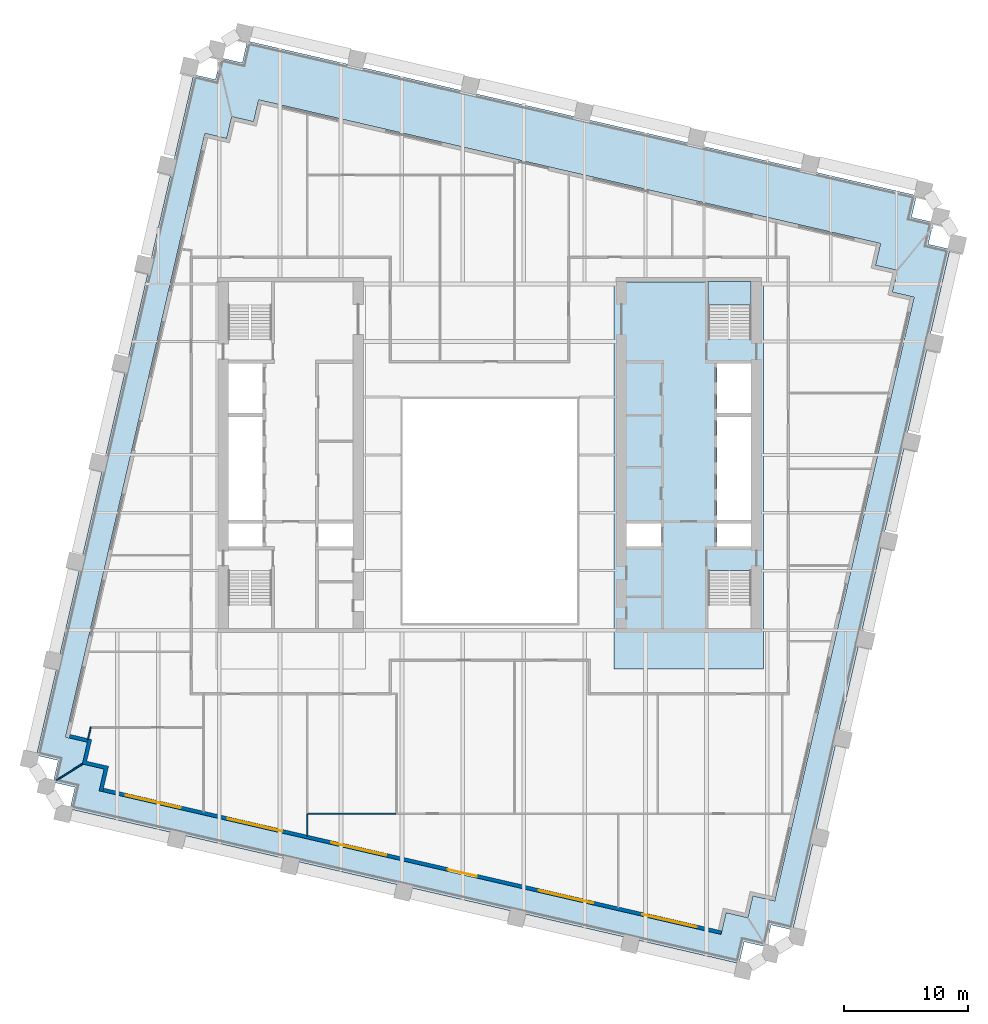
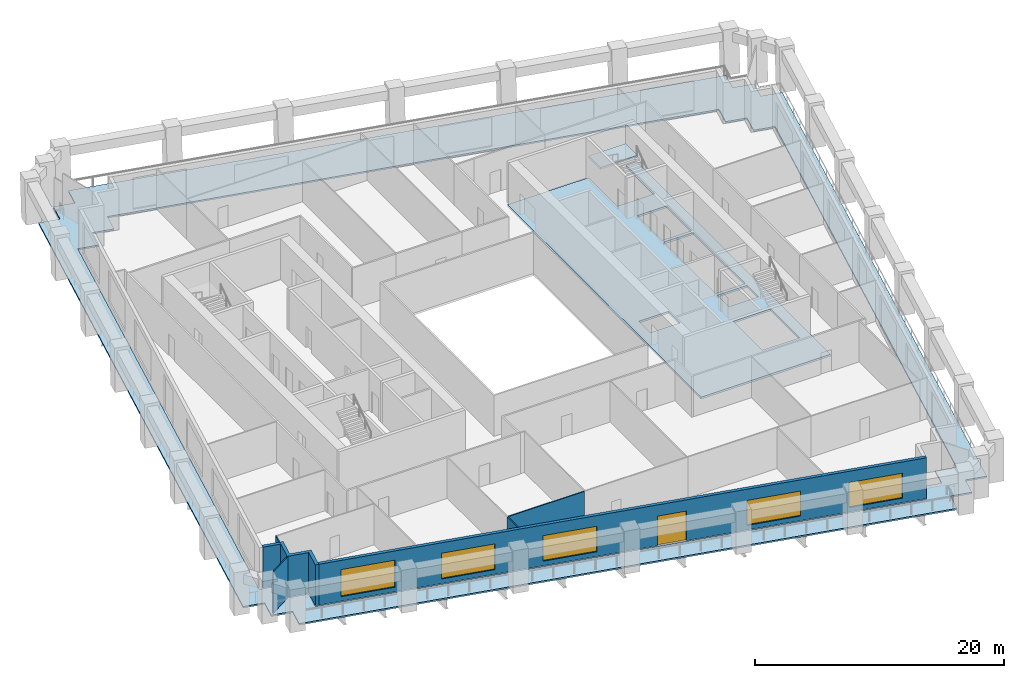
# One storey, part 3 of 9: 6 walls, 5 windows, 3 slabs, 1 door, 6 openings, 1 element without a shape of its own.
"""IFC4 building model written with IfcOpenShell, lengths in metres."""

import ifcopenshell
import ifcopenshell.guid

model = None  # the IFC model being written
_history = None  # IfcOwnerHistory: only IFC2X3 demands one
_inside = {}  # id of a spatial element -> (the spatial element, [elements in it])
_under = {}  # id of a project, library or spatial element -> (it, [spatial elements below it])
_declared = {}  # id of a project -> (the project, [libraries it declares])
_typed = {}  # id of a type object -> (the type object, [elements of that type])
_made_of = {}  # id of a material, layer set ... -> (it, [elements and type objects made of it])


def new_model(schema):
    """Start an empty IFC model of exactly this schema.

    Asked for "IFC4X3", IfcOpenShell would pick the latest addendum, in which some entities
    have other attributes; the version numbers below select the first issue.
    IFC2X3 requires an IfcOwnerHistory on every rooted entity: one is made here for all.
    """
    global model, _history
    if schema == "IFC4X3":
        model = ifcopenshell.file(schema_version=(4, 3, 0, 0))
    else:
        model = ifcopenshell.file(schema=schema)
    _inside.clear()
    _under.clear()
    _declared.clear()
    _typed.clear()
    _made_of.clear()
    _history = None
    if model.schema == "IFC2X3":
        org = make("IfcOrganization", Name="unknown")
        user = make(
            "IfcPersonAndOrganization",
            ThePerson=make("IfcPerson", FamilyName="unknown"),
            TheOrganization=org,
        )
        app = make(
            "IfcApplication",
            ApplicationDeveloper=org,
            Version="unknown",
            ApplicationFullName="unknown",
            ApplicationIdentifier="unknown",
        )
        _history = make(
            "IfcOwnerHistory",
            OwningUser=user,
            OwningApplication=app,
            ChangeAction="ADDED",
            CreationDate=0,
        )
    return model


def make(cls, **values):
    """One entity of the class cls with the attributes given. An attribute that is None is left unset."""
    return model.create_entity(
        cls, **{name: value for name, value in values.items() if value is not None}
    )


def rooted(cls, **values):
    """An entity with a GlobalId (a new one), such as an element, a storey or a relation."""
    return make(cls, GlobalId=ifcopenshell.guid.new(), OwnerHistory=_history, **values)


def si_unit(unit_type, name, prefix=None):
    """IfcSIUnit, for example si_unit("LENGTHUNIT", "METRE", prefix="MILLI")."""
    return make("IfcSIUnit", UnitType=unit_type, Prefix=prefix, Name=name)


def assignment(units):
    """IfcUnitAssignment: the units of a project."""
    return None if units is None else make("IfcUnitAssignment", Units=units)


def point(xyz):
    """IfcCartesianPoint."""
    return None if xyz is None else make("IfcCartesianPoint", Coordinates=xyz)


def direction(xyz):
    """IfcDirection."""
    return None if xyz is None else make("IfcDirection", DirectionRatios=xyz)


def frame(location, z_axis=None, x_axis=None):
    """IfcAxis2Placement3D, a coordinate frame: its origin and axes. An axis left out is left unset."""
    return make(
        "IfcAxis2Placement3D",
        Location=point(location),
        Axis=direction(z_axis),
        RefDirection=direction(x_axis),
    )


def frame_2d(location, x_axis=None):
    """IfcAxis2Placement2D, a coordinate frame in the plane: its origin and x axis."""
    return make(
        "IfcAxis2Placement2D", Location=point(location), RefDirection=direction(x_axis)
    )


def origin():
    """The frame at (0, 0, 0) with its axes left unset."""
    return frame((0.0, 0.0, 0.0))


def place(relative_to, where):
    """IfcLocalPlacement: puts the frame where relative to a parent placement (None: the world)."""
    return make(
        "IfcLocalPlacement", PlacementRelTo=relative_to, RelativePlacement=where
    )


def context(
    kind, dimensions, precision=None, world=None, true_north=None, identifier=None
):
    """IfcGeometricRepresentationContext, for example the 3D "Model" context."""
    return make(
        "IfcGeometricRepresentationContext",
        ContextIdentifier=identifier,
        ContextType=kind,
        CoordinateSpaceDimension=dimensions,
        Precision=precision,
        WorldCoordinateSystem=world,
        TrueNorth=true_north,
    )


def subcontext(parent, identifier, kind, view, scale=None):
    """IfcGeometricRepresentationSubContext, for example "Body" below "Model"."""
    return make(
        "IfcGeometricRepresentationSubContext",
        ContextIdentifier=identifier,
        ContextType=kind,
        ParentContext=parent,
        TargetScale=scale,
        TargetView=view,
    )


def project(units=None, contexts=None):
    """IfcProject with its units and contexts."""
    return rooted(
        "IfcProject",
        Name="project",
        RepresentationContexts=contexts,
        UnitsInContext=assignment(units),
    )


def spatial(cls, under=None, at=None, **own):
    """A site, building, storey or space (cls), placed at a placement, below another one or the project."""
    s = rooted(cls, ObjectPlacement=at, **own)
    if under is not None:
        _under.setdefault(under.id(), (under, []))[1].append(s)
    return s


def polyline(points):
    """IfcPolyline through the points."""
    return make("IfcPolyline", Points=[point(p) for p in points])


def profile(cls, at=None, kind="AREA", **sizes):
    """A parametric profile (cls). Its sizes go by their IFC names, for example OverallWidth=200.0."""
    return make(cls, ProfileType=kind, Position=at, **sizes)


def rectangle(**sizes):
    """IfcRectangleProfileDef."""
    return profile("IfcRectangleProfileDef", **sizes)


def outline(outer, holes=None, kind="AREA"):
    """IfcArbitraryClosedProfileDef: a profile drawn as a closed curve; with holes, ...WithVoids."""
    if holes is None:
        return make("IfcArbitraryClosedProfileDef", ProfileType=kind, OuterCurve=outer)
    return make(
        "IfcArbitraryProfileDefWithVoids",
        ProfileType=kind,
        OuterCurve=outer,
        InnerCurves=holes,
    )


def extrude(swept, where, along, depth):
    """IfcExtrudedAreaSolid: the profile swept, set in the frame where, extruded along a direction by depth."""
    return make(
        "IfcExtrudedAreaSolid",
        SweptArea=swept,
        Position=where,
        ExtrudedDirection=direction(along),
        Depth=depth,
    )


def shape(context_of_items, identifier, shape_type, items):
    """IfcShapeRepresentation: the items that make up one representation, for example the "Body"."""
    return make(
        "IfcShapeRepresentation",
        ContextOfItems=context_of_items,
        RepresentationIdentifier=identifier,
        RepresentationType=shape_type,
        Items=items,
    )


def material(Name=None, Category=None):
    """IfcMaterial."""
    return make("IfcMaterial", Name=Name, Category=Category)


def layer(
    of_material, thickness, ventilated=None, Name=None, Category=None, Priority=None
):
    """IfcMaterialLayer: one layer of a wall or slab, of a material (None: an air gap)."""
    return make(
        "IfcMaterialLayer",
        Material=of_material,
        LayerThickness=thickness,
        IsVentilated=ventilated,
        Name=Name,
        Category=Category,
        Priority=Priority,
    )


def layer_set(layers, Name=None):
    """IfcMaterialLayerSet."""
    return make("IfcMaterialLayerSet", MaterialLayers=layers, LayerSetName=Name)


def made_of(thing, what):
    """Note that an element or type object is made of a material, layer set ...; save() writes the relation."""
    if what is not None:
        _made_of.setdefault(what.id(), (what, []))[1].append(thing)
    return thing


def type_object(cls, material=None, **own):
    """A type object (cls), such as IfcWallType, which elements share."""
    return made_of(rooted(cls, **own), material)


def element(
    cls,
    number,
    at=None,
    inside=None,
    cuts=None,
    type_object=None,
    material=None,
    context=None,
    identifier="Body",
    shape_type=None,
    held_by="IfcProductDefinitionShape",
    body=None,
    shapes=None,
    **own,
):
    """One element of the class cls, such as IfcWall. Its Tag is "e" and its number.

    at: its placement. inside: the storey or other place that contains it. cuts: it is an
    opening in that element (IfcRelVoidsElement). A single representation is given by context,
    identifier, shape_type and body (its items); several are given by shapes. held_by: the class
    of the entity that holds the representations. save() writes the other relations.
    """
    e = rooted(cls, Tag="e%d" % number, ObjectPlacement=at, **own)
    if body is not None:
        shapes = [shape(context, identifier, shape_type, body)]
    if shapes is not None:
        e.Representation = make(held_by, Representations=shapes)
    if inside is not None:
        _inside.setdefault(inside.id(), (inside, []))[1].append(e)
    if cuts is not None:
        rooted(
            "IfcRelVoidsElement", RelatingBuildingElement=cuts, RelatedOpeningElement=e
        )
    if type_object is not None:
        _typed.setdefault(type_object.id(), (type_object, []))[1].append(e)
    return made_of(e, material)


def fill(opening, filler):
    """IfcRelFillsElement: the door or window that sits in an opening."""
    return rooted(
        "IfcRelFillsElement",
        RelatingOpeningElement=opening,
        RelatedBuildingElement=filler,
    )


def aggregate(whole, parts):
    """IfcRelAggregates: a whole, such as a stair, and the parts it consists of."""
    return rooted("IfcRelAggregates", RelatingObject=whole, RelatedObjects=parts)


def save(model, path):
    """Write the relations noted so far, then the file.

    IfcRelAggregates (storeys below a building ...), IfcRelContainedInSpatialStructure (elements
    in a storey), IfcRelDefinesByType, IfcRelAssociatesMaterial and IfcRelDeclares: one each for
    every whole, place, type object, material and project.
    """
    for whole, parts in _under.values():
        aggregate(whole, parts)
    for where, things in _inside.values():
        rooted(
            "IfcRelContainedInSpatialStructure",
            RelatedElements=things,
            RelatingStructure=where,
        )
    for kind, things in _typed.values():
        rooted("IfcRelDefinesByType", RelatedObjects=things, RelatingType=kind)
    for what, things in _made_of.values():
        rooted("IfcRelAssociatesMaterial", RelatedObjects=things, RelatingMaterial=what)
    for by, libraries in _declared.values():
        rooted("IfcRelDeclares", RelatingContext=by, RelatedDefinitions=libraries)
    model.write(path)


model = new_model("IFC4")

# Units and contexts
model_context = context("Model", 3, precision=1e-05, world=origin(), true_north=direction((0.0, 1.0)))
body_context = subcontext(model_context, "Body", "Model", "MODEL_VIEW")
ifc_project = project(units=[si_unit("LENGTHUNIT", "METRE"), si_unit("AREAUNIT", "SQUARE_METRE"), si_unit("VOLUMEUNIT", "CUBIC_METRE"), si_unit("PLANEANGLEUNIT", "RADIAN"), si_unit("MASSUNIT", "GRAM", prefix="KILO")], contexts=[model_context])

# Site, building, storey
site_placement = place(None, origin())
site = spatial("IfcSite", under=ifc_project, at=site_placement, CompositionType="ELEMENT")
building_placement = place(site_placement, origin())
building = spatial("IfcBuilding", under=site, at=building_placement, Name="Ogive Exchange Tower", CompositionType="ELEMENT")
storey_placement = place(building_placement, frame((0.0, 0.0, 126.60009765625)))
storey = spatial("IfcBuildingStorey", under=building, at=storey_placement, Name="L27", CompositionType="ELEMENT", Elevation=126.60009765625)

# Slabs
ifc_material_1 = material(Name="Concrete C70/85", Category="concrete")
ifc_layer_1 = layer(ifc_material_1, 0.199951171875)
ifc_layer_set_1 = layer_set([ifc_layer_1], Name="Core floor slab 200")
slab_type_1 = type_object("IfcSlabType", Name="Core floor slab 200", PredefinedType="FLOOR", material=ifc_layer_set_1)
slab_1_placement = place(storey_placement, frame((0.0, 0.0, -0.2001953125)))
element("IfcSlab", 1, at=slab_1_placement, inside=storey, type_object=slab_type_1, Name="Core floor slab", PredefinedType="FLOOR", context=body_context, shape_type="SweptSolid", body=[
    extrude(outline(polyline([(22.0, 25.39990234375), (22.0, -5.699951171875), (10.0, -5.699951171875), (10.0, 25.39990234375), (17.550048828125, 25.39990234375), (17.550048828125, 20.803955078125), (21.0, 20.803955078125), (21.0, 25.39990234375), (22.0, 25.39990234375)]), holes=[polyline([(21.0, 2.196044921875), (17.550048828125, 2.196044921875), (17.550048828125, -2.449951171875), (21.0, -2.449951171875), (21.0, 2.196044921875)]), polyline([(13.75, 5.992919921875), (11.0, 5.992919921875), (11.0, 4.14990234375), (13.75, 4.14990234375), (13.75, 5.992919921875)]), polyline([(21.0, 5.992919921875), (18.25, 5.992919921875), (18.25, 4.14990234375), (21.0, 4.14990234375), (21.0, 5.992919921875)]), polyline([(18.25, 14.564208984375), (18.25, 6.29296875), (21.0, 6.29296875), (21.0, 14.564208984375), (18.25, 14.564208984375)]), polyline([(21.0, 18.85009765625), (18.25, 18.85009765625), (18.25, 14.8642578125), (21.0, 14.8642578125), (21.0, 18.85009765625)])]), origin(), (0.0, 0.0, 1.0), 0.2001953125),
])
ifc_material_2 = material(Name="Concrete C50/60", Category="concrete")
ifc_layer_2 = layer(ifc_material_2, 0.14990234375)
ifc_layer_set_2 = layer_set([ifc_layer_2], Name="Loggia deck 150")
slab_type_2 = type_object("IfcSlabType", Name="Loggia deck 150", PredefinedType="FLOOR", material=ifc_layer_set_2)
slab_2_placement = place(storey_placement, frame((0.0, 0.0, -0.2001953125)))
element("IfcSlab", 2, at=slab_2_placement, inside=storey, type_object=slab_type_2, Name="Loggia deck", PredefinedType="FLOOR", context=body_context, shape_type="SweptSolid", body=[
    extrude(outline(polyline([(-33.33740234375, -15.20703125), (-35.09130859375, -14.802001953125), (-34.686279296875, -13.04833984375), (-36.440185546875, -12.643310546875), (-23.808349609375, 42.072021484375), (-22.054443359375, 41.6669921875), (-21.6494140625, 43.4208984375), (-19.8955078125, 43.01611328125), (-19.49072265625, 44.77001953125), (34.29443359375, 32.3525390625), (33.8896484375, 30.5986328125), (35.6435546875, 30.19384765625), (35.238525390625, 28.43994140625), (36.992431640625, 28.034912109375), (24.3603515625, -26.680419921875), (22.6064453125, -26.275390625), (22.20166015625, -28.029296875), (20.44775390625, -27.62451171875), (20.04296875, -29.378173828125), (-33.742431640625, -16.9609375), (-33.33740234375, -15.20703125)]), holes=[polyline([(18.986328125, -25.28564453125), (20.740234375, -25.690673828125), (21.145263671875, -23.936767578125), (22.89892578125, -24.341552734375), (34.1015625, 24.181884765625), (32.34765625, 24.5869140625), (32.752685546875, 26.3408203125), (30.998779296875, 26.74560546875), (31.40380859375, 28.49951171875), (-18.58154296875, 40.03955078125), (-18.986328125, 38.28564453125), (-20.740234375, 38.690673828125), (-21.145263671875, 36.936767578125), (-22.89892578125, 37.341552734375), (-34.1015625, -11.181884765625), (-32.34765625, -11.5869140625), (-32.752685546875, -13.3408203125), (-30.998779296875, -13.74560546875), (-31.40380859375, -15.49951171875), (18.58154296875, -27.03955078125), (18.986328125, -25.28564453125)])]), origin(), (0.0, 0.0, 1.0), 0.150146484375),
])

# Stair, slab
ifc_material_3 = material(Name="Concrete C40/50", Category="concrete")
stair_type = type_object("IfcStairType", Name="Exit stair 1650 wide", PredefinedType="HALF_TURN_STAIR", material=ifc_material_3)
stair_placement = place(storey_placement, origin())
stair = element("IfcStair", 3, at=stair_placement, inside=storey, type_object=stair_type, Name="L27 exit stair ST4", PredefinedType="HALF_TURN_STAIR")
ifc_layer_3 = layer(ifc_material_3, 0.199951171875)
ifc_layer_set_3 = layer_set([ifc_layer_3], Name="Stair landing 200 slab")
slab_type_3 = type_object("IfcSlabType", Name="Stair landing 200 slab", PredefinedType="LANDING", material=ifc_layer_set_3)
slab_3_placement = place(storey_placement, frame((0.0, 0.0, 1.89990234375)))
slab_3 = element("IfcSlab", 4, at=slab_3_placement, type_object=slab_type_3, Name="ST4 landing 1", PredefinedType="LANDING", context=body_context, shape_type="SweptSolid", body=[
    extrude(outline(polyline([(21.0, 23.550048828125), (21.0, 25.449951171875), (17.550048828125, 25.449951171875), (17.550048828125, 23.550048828125), (21.0, 23.550048828125)])), origin(), (0.0, 0.0, 1.0), 0.199951171875),
])
aggregate(stair, [slab_3])

# Wall, openings, door, windows
ifc_material_4 = material(Name="Precast concrete C40/50", Category="concrete")
ifc_layer_4 = layer(ifc_material_4, 0.300048828125)
ifc_layer_set_4 = layer_set([ifc_layer_4], Name="Limestone-faced wall 300")
wall_type_1 = type_object("IfcWallType", Name="Limestone-faced wall 300", PredefinedType="STANDARD", material=ifc_layer_set_4)
wall_1_placement = place(storey_placement, frame((-31.07763671875, -15.4208984375, 0.0), z_axis=(0.0, 0.0, 1.0), x_axis=(0.974370456532, -0.224949357493, 0.0)))
wall_1 = element("IfcWall", 5, at=wall_1_placement, inside=storey, type_object=wall_type_1, Name="External wall S1", PredefinedType="STANDARD", context=body_context, shape_type="SweptSolid", body=[
    extrude(rectangle(XDim=51.0, YDim=0.300048828125, at=frame_2d((25.5, 0.0))), origin(), (0.0, 0.0, 1.0), 4.0),
])
opening_1_placement = place(wall_1_placement, frame((1.875, 0.0, 0.449951171875)))
opening_1 = element("IfcOpeningElement", 6, at=opening_1_placement, cuts=wall_1, Name="Opening W1K", PredefinedType="OPENING", context=body_context, shape_type="SweptSolid", body=[
    extrude(rectangle(XDim=4.5, YDim=2.64990234375, at=frame_2d((2.25, 1.324951171875))), frame((0.0, 0.159912109375, 0.0), z_axis=(0.0, -1.0, 0.0), x_axis=(1.0, 0.0, 0.0)), (0.0, 0.0, 1.0), 0.320068359375),
])
opening_2_placement = place(wall_1_placement, frame((10.27490234375, 0.0, 0.449951171875)))
opening_2 = element("IfcOpeningElement", 7, at=opening_2_placement, cuts=wall_1, Name="Opening W1N", PredefinedType="OPENING", context=body_context, shape_type="SweptSolid", body=[
    extrude(rectangle(XDim=4.5, YDim=2.52490234375, at=frame_2d((2.25, 1.262451171875))), frame((0.0, 0.159912109375, 0.0), z_axis=(0.0, -1.0, 0.0), x_axis=(1.0, 0.0, 0.0)), (0.0, 0.0, 1.0), 0.320068359375),
])
opening_3_placement = place(wall_1_placement, frame((18.824951171875, 0.0, 0.449951171875)))
opening_3 = element("IfcOpeningElement", 8, at=opening_3_placement, cuts=wall_1, Name="Opening W1O", PredefinedType="OPENING", context=body_context, shape_type="SweptSolid", body=[
    extrude(rectangle(XDim=4.5, YDim=2.5, at=frame_2d((2.25, 1.25))), frame((0.0, 0.159912109375, 0.0), z_axis=(0.0, -1.0, 0.0), x_axis=(1.0, 0.0, 0.0)), (0.0, 0.0, 1.0), 0.320068359375),
])
opening_4_placement = place(wall_1_placement, frame((28.425048828125, 0.0, 0.0)))
opening_4 = element("IfcOpeningElement", 9, at=opening_4_placement, cuts=wall_1, Name="Opening D1P", PredefinedType="OPENING", context=body_context, shape_type="SweptSolid", body=[
    extrude(rectangle(XDim=2.39990234375, YDim=2.89990234375, at=frame_2d((1.199951171875, 1.449951171875))), frame((0.0, 0.159912109375, 0.0), z_axis=(0.0, -1.0, 0.0), x_axis=(1.0, 0.0, 0.0)), (0.0, 0.0, 1.0), 0.320068359375),
])
opening_5_placement = place(wall_1_placement, frame((35.925048828125, 0.0, 0.449951171875)))
opening_5 = element("IfcOpeningElement", 10, at=opening_5_placement, cuts=wall_1, Name="Opening W1Q", PredefinedType="OPENING", context=body_context, shape_type="SweptSolid", body=[
    extrude(rectangle(XDim=4.5, YDim=2.449951171875, at=frame_2d((2.25, 1.22509765625))), frame((0.0, 0.159912109375, 0.0), z_axis=(0.0, -1.0, 0.0), x_axis=(1.0, 0.0, 0.0)), (0.0, 0.0, 1.0), 0.320068359375),
])
opening_6_placement = place(wall_1_placement, frame((44.47509765625, 0.0, 0.449951171875)))
opening_6 = element("IfcOpeningElement", 11, at=opening_6_placement, cuts=wall_1, Name="Opening W1Q", PredefinedType="OPENING", context=body_context, shape_type="SweptSolid", body=[
    extrude(rectangle(XDim=4.5, YDim=2.449951171875, at=frame_2d((2.25, 1.22509765625))), frame((0.0, 0.159912109375, 0.0), z_axis=(0.0, -1.0, 0.0), x_axis=(1.0, 0.0, 0.0)), (0.0, 0.0, 1.0), 0.320068359375),
])
ifc_material_5 = material(Name="Clear glass in bronze frame", Category="glass")
door_type = type_object("IfcDoorType", Name="Sliding loggia door 2400 x 2900", OperationType="DOUBLE_DOOR_SLIDING", PredefinedType="DOOR", material=ifc_material_5)
door_placement = place(opening_4_placement, origin())
door = element("IfcDoor", 12, at=door_placement, inside=storey, type_object=door_type, Name="Loggia door S03", OperationType="DOUBLE_DOOR_SLIDING", OverallHeight=2.89990234375, OverallWidth=2.39990234375, PredefinedType="DOOR", context=body_context, shape_type="SweptSolid", body=[
    extrude(rectangle(XDim=2.39990234375, YDim=2.89990234375, at=frame_2d((1.199951171875, 1.449951171875))), frame((0.0, 0.02490234375, 0.0), z_axis=(0.0, -1.0, 0.0), x_axis=(1.0, 0.0, 0.0)), (0.0, 0.0, 1.0), 0.050048828125),
])
fill(opening_4, door)
window_type_1 = type_object("IfcWindowType", Name="Twin lancet window 4500 x 2450", PartitioningType="DOUBLE_PANEL_VERTICAL", PredefinedType="WINDOW", material=ifc_material_5)
window_1_placement = place(opening_5_placement, origin())
window_1 = element("IfcWindow", 13, at=window_1_placement, inside=storey, type_object=window_type_1, Name="Window S04", OverallHeight=2.449951171875, OverallWidth=4.5, PartitioningType="DOUBLE_PANEL_VERTICAL", PredefinedType="WINDOW", context=body_context, shape_type="SweptSolid", body=[
    extrude(rectangle(XDim=4.5, YDim=2.449951171875, at=frame_2d((2.25, 1.22509765625))), frame((0.0, 0.030029296875, 0.0), z_axis=(0.0, -1.0, 0.0), x_axis=(1.0, 0.0, 0.0)), (0.0, 0.0, 1.0), 0.06005859375),
])
fill(opening_5, window_1)
window_2_placement = place(opening_6_placement, origin())
window_2 = element("IfcWindow", 14, at=window_2_placement, inside=storey, type_object=window_type_1, Name="Window S05", OverallHeight=2.449951171875, OverallWidth=4.5, PartitioningType="DOUBLE_PANEL_VERTICAL", PredefinedType="WINDOW", context=body_context, shape_type="SweptSolid", body=[
    extrude(rectangle(XDim=4.5, YDim=2.449951171875, at=frame_2d((2.25, 1.22509765625))), frame((0.0, 0.030029296875, 0.0), z_axis=(0.0, -1.0, 0.0), x_axis=(1.0, 0.0, 0.0)), (0.0, 0.0, 1.0), 0.06005859375),
])
fill(opening_6, window_2)
window_type_2 = type_object("IfcWindowType", Name="Twin lancet window 4500 x 2500", PartitioningType="DOUBLE_PANEL_VERTICAL", PredefinedType="WINDOW", material=ifc_material_5)
window_3_placement = place(opening_3_placement, origin())
window_3 = element("IfcWindow", 15, at=window_3_placement, inside=storey, type_object=window_type_2, Name="Window S02", OverallHeight=2.5, OverallWidth=4.5, PartitioningType="DOUBLE_PANEL_VERTICAL", PredefinedType="WINDOW", context=body_context, shape_type="SweptSolid", body=[
    extrude(rectangle(XDim=4.5, YDim=2.5, at=frame_2d((2.25, 1.25))), frame((0.0, 0.030029296875, 0.0), z_axis=(0.0, -1.0, 0.0), x_axis=(1.0, 0.0, 0.0)), (0.0, 0.0, 1.0), 0.06005859375),
])
fill(opening_3, window_3)
window_type_3 = type_object("IfcWindowType", Name="Twin lancet window 4500 x 2525", PartitioningType="DOUBLE_PANEL_VERTICAL", PredefinedType="WINDOW", material=ifc_material_5)
window_4_placement = place(opening_2_placement, origin())
window_4 = element("IfcWindow", 16, at=window_4_placement, inside=storey, type_object=window_type_3, Name="Window S01", OverallHeight=2.52490234375, OverallWidth=4.5, PartitioningType="DOUBLE_PANEL_VERTICAL", PredefinedType="WINDOW", context=body_context, shape_type="SweptSolid", body=[
    extrude(rectangle(XDim=4.5, YDim=2.52490234375, at=frame_2d((2.25, 1.262451171875))), frame((0.0, 0.030029296875, 0.0), z_axis=(0.0, -1.0, 0.0), x_axis=(1.0, 0.0, 0.0)), (0.0, 0.0, 1.0), 0.06005859375),
])
fill(opening_2, window_4)
window_type_4 = type_object("IfcWindowType", Name="Twin lancet window 4500 x 2650", PartitioningType="DOUBLE_PANEL_VERTICAL", PredefinedType="WINDOW", material=ifc_material_5)
window_5_placement = place(opening_1_placement, origin())
window_5 = element("IfcWindow", 17, at=window_5_placement, inside=storey, type_object=window_type_4, Name="Window S00", OverallHeight=2.64990234375, OverallWidth=4.5, PartitioningType="DOUBLE_PANEL_VERTICAL", PredefinedType="WINDOW", context=body_context, shape_type="SweptSolid", body=[
    extrude(rectangle(XDim=4.5, YDim=2.64990234375, at=frame_2d((2.25, 1.324951171875))), frame((0.0, 0.030029296875, 0.0), z_axis=(0.0, -1.0, 0.0), x_axis=(1.0, 0.0, 0.0)), (0.0, 0.0, 1.0), 0.06005859375),
])
fill(opening_1, window_5)

# Walls
wall_2_placement = place(storey_placement, origin())
element("IfcWall", 18, at=wall_2_placement, inside=storey, type_object=wall_type_1, Name="External corner wall C4", PredefinedType="STANDARD", context=body_context, shape_type="SweptSolid", body=[
    extrude(outline(polyline([(-32.392822265625, -13.115966796875), (-30.638916015625, -13.52099609375), (-31.111328125, -15.56689453125), (-31.40380859375, -15.49951171875), (-30.998779296875, -13.74560546875), (-32.752685546875, -13.3408203125), (-32.34765625, -11.5869140625), (-33.809326171875, -11.24951171875), (-33.74169921875, -10.957275390625), (-31.98779296875, -11.362060546875), (-32.392822265625, -13.115966796875)])), origin(), (0.0, 0.0, 1.0), 4.0),
])
ifc_material_6 = material(Name="Laminated safety glass in steel frame", Category="steel")
ifc_layer_5 = layer(ifc_material_6, 0.10009765625)
ifc_layer_set_5 = layer_set([ifc_layer_5], Name="Loggia end screen 100")
wall_type_2 = type_object("IfcWallType", Name="Loggia end screen 100", PredefinedType="STANDARD", material=ifc_layer_set_5)
wall_3_placement = place(storey_placement, frame((-32.752685546875, -13.3408203125, -0.050048828125), z_axis=(0.0, 0.0, 1.0), x_axis=(-0.848059759764, -0.529900598103, 0.0)))
element("IfcWall", 19, at=wall_3_placement, inside=storey, type_object=wall_type_2, Name="Loggia end screen C4", PredefinedType="STANDARD", context=body_context, shape_type="SweptSolid", body=[
    extrude(rectangle(XDim=2.454833984375, YDim=0.10009765625, at=frame_2d((1.2275390625, 0.0))), origin(), (0.0, 0.0, 1.0), 4.050048828125),
])
ifc_material_7 = material(Name="Partition 100 gypsum")
ifc_layer_6 = layer(ifc_material_7, 0.10009765625)
ifc_layer_set_6 = layer_set([ifc_layer_6], Name="Partition 100 gypsum")
wall_type_3 = type_object("IfcWallType", Name="Partition 100 gypsum", PredefinedType="PARTITIONING", material=ifc_layer_set_6)
wall_4_placement = place(storey_placement, frame((-32.069091796875, -10.361083984375, 0.0), z_axis=(0.0, 0.0, 1.0), x_axis=(-0.222987762652, -0.974821243976, 0.0)))
element("IfcWall", 20, at=wall_4_placement, inside=storey, type_object=wall_type_3, Name="L27-PWL-001", PredefinedType="PARTITIONING", context=body_context, shape_type="SweptSolid", body=[
    extrude(rectangle(XDim=1.0576171875, YDim=0.10009765625, at=frame_2d((0.52880859375, 0.0))), origin(), (0.0, 0.0, 1.0), 4.0),
])
wall_5_placement = place(storey_placement, frame((-14.669921875, -19.137939453125, 0.0), z_axis=(0.0, 0.0, 1.0), x_axis=(0.0, 1.0, 0.0)))
element("IfcWall", 21, at=wall_5_placement, inside=storey, type_object=wall_type_3, Name="L27-PWL-014", PredefinedType="PARTITIONING", context=body_context, shape_type="SweptSolid", body=[
    extrude(rectangle(XDim=1.748046875, YDim=0.10009765625, at=frame_2d((0.8740234375, 0.0))), origin(), (0.0, 0.0, 1.0), 4.0),
])
wall_6_placement = place(storey_placement, frame((-14.6201171875, -17.340087890625, 0.0), z_axis=(0.0, 0.0, 1.0), x_axis=(1.0, 0.0, 0.0)))
element("IfcWall", 22, at=wall_6_placement, inside=storey, type_object=wall_type_3, Name="L27-PWL-016", PredefinedType="PARTITIONING", context=body_context, shape_type="SweptSolid", body=[
    extrude(rectangle(XDim=7.070068359375, YDim=0.10009765625, at=frame_2d((3.53515625, 0.0))), origin(), (0.0, 0.0, 1.0), 4.0),
])

save(model, "model.ifc")
